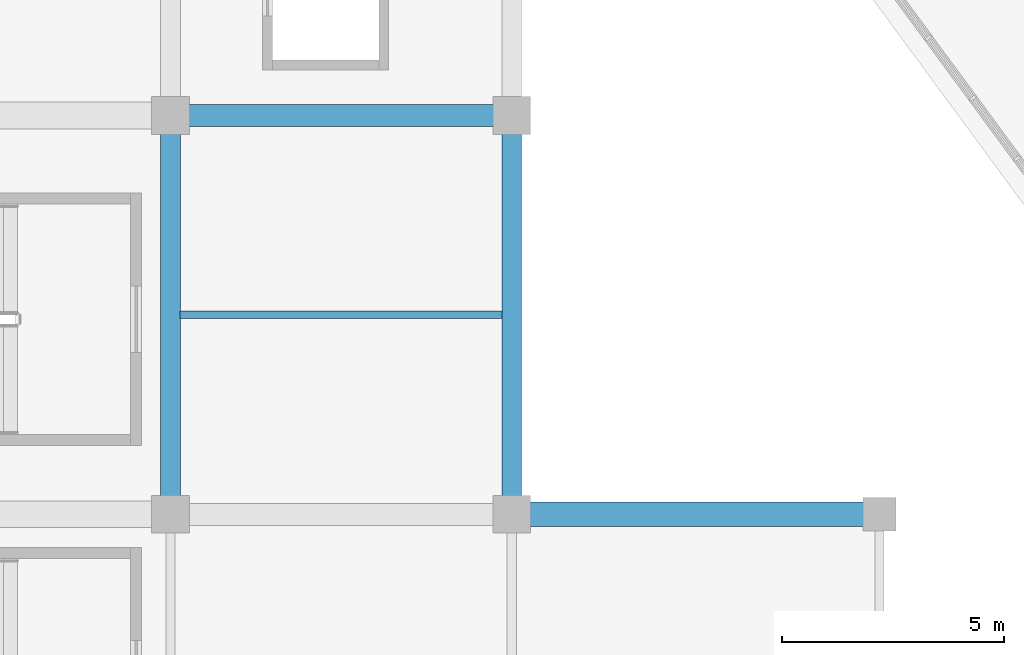
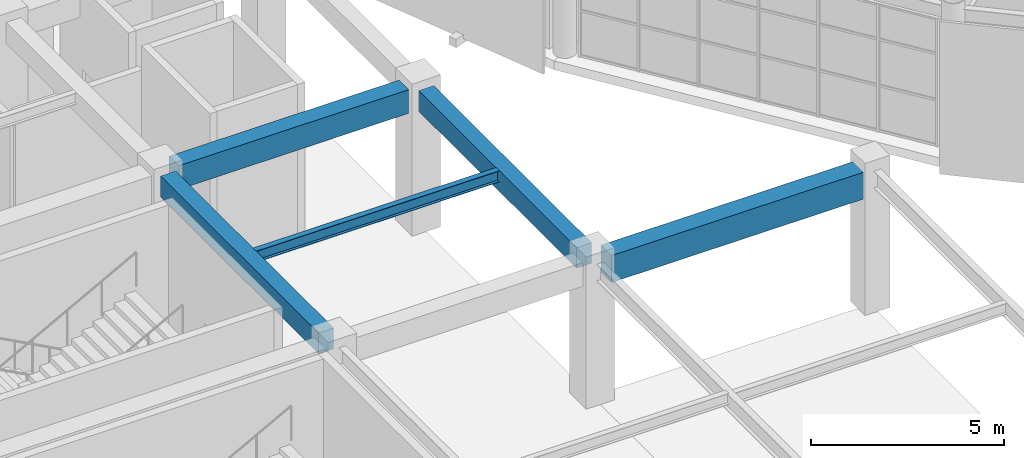
# One storey, part 20 of 112: 5 beams.
"""IFC4 building model written with IfcOpenShell, lengths in metres."""

from ifc_helpers import new_model, si_unit, direction, frame, origin, origin_2d, place, context, subcontext, project, spatial, rectangle, i_section, extrude, material, material_profile, profile_set, type_object, element, save


model = new_model("IFC4")

# Units and contexts
model_context = context("Model", 3, precision=1e-05, world=origin(), true_north=direction((0.0, 1.0)))
body_context = subcontext(model_context, "Body", "Model", "MODEL_VIEW")
ifc_project = project(units=[si_unit("LENGTHUNIT", "METRE"), si_unit("AREAUNIT", "SQUARE_METRE"), si_unit("VOLUMEUNIT", "CUBIC_METRE"), si_unit("PLANEANGLEUNIT", "RADIAN"), si_unit("MASSUNIT", "GRAM", prefix="KILO")], contexts=[model_context])

# Site, building, storey
site_placement = place(None, origin())
site = spatial("IfcSite", under=ifc_project, at=site_placement, CompositionType="ELEMENT")
building_placement = place(site_placement, origin())
building = spatial("IfcBuilding", under=site, at=building_placement, Name="Cuetzalor Civic Arena", CompositionType="ELEMENT")
storey_placement = place(building_placement, frame((0.0, 0.0, 11.39990234375)))
storey = spatial("IfcBuildingStorey", under=building, at=storey_placement, Name="L02", CompositionType="ELEMENT", Elevation=11.39990234375)

# Beams
ifc_material_1 = material(Name="Concrete C40/50", Category="concrete")
ifc_material_profile_1 = material_profile(ifc_material_1, rectangle(XDim=0.5, YDim=0.75, at=origin_2d()), Name="RC 500x750")
ifc_profile_set_1 = profile_set([ifc_material_profile_1], Name="Concrete C40/50")
beam_type_1 = type_object("IfcBeamType", Name="ConcreteFrameBeam_500x750", PredefinedType="BEAM", material=ifc_profile_set_1)
beam_1_placement = place(storey_placement, frame((-63.5849609375, -25.0, 4.14501953125), z_axis=(1.0, 0.0, 0.0), x_axis=(0.0, 1.0, 0.0)))
element("IfcBeam", 1, at=beam_1_placement, inside=storey, type_object=beam_type_1, Name="Frame Girder V4W-L02-X0636", PredefinedType="BEAM", context=body_context, shape_type="SweptSolid", body=[
    extrude(rectangle(XDim=0.5, YDim=0.75, at=origin_2d()), origin(), (0.0, 0.0, 1.0), 6.869873046875),
])
ifc_material_2 = material(Name="Concrete C40/50", Category="concrete")
ifc_material_profile_2 = material_profile(ifc_material_2, rectangle(XDim=0.550048828125, YDim=0.85009765625, at=origin_2d()), Name="RC 550x850")
ifc_profile_set_2 = profile_set([ifc_material_profile_2], Name="Concrete C40/50")
beam_type_2 = type_object("IfcBeamType", Name="ConcreteFrameBeam_550x850", PredefinedType="BEAM", material=ifc_profile_set_2)
beam_2_placement = place(storey_placement, frame((-55.885009765625, -34.0, 4.03515625), z_axis=(1.0, 0.0, 0.0), x_axis=(0.0, 1.0, 0.0)))
element("IfcBeam", 2, at=beam_2_placement, inside=storey, type_object=beam_type_2, Name="Frame Girder V4W-L02-X0633", PredefinedType="BEAM", context=body_context, shape_type="SweptSolid", body=[
    extrude(rectangle(XDim=0.550048828125, YDim=0.85009765625, at=origin_2d()), origin(), (0.0, 0.0, 1.0), 7.52001953125),
])
ifc_material_3 = material(Name="Concrete C40/50", Category="concrete")
ifc_material_profile_3 = material_profile(ifc_material_3, rectangle(XDim=0.449951171875, YDim=0.64990234375, at=origin_2d()), Name="RC 450x650")
ifc_profile_set_3 = profile_set([ifc_material_profile_3], Name="Concrete C40/50")
beam_type_3 = type_object("IfcBeamType", Name="ConcreteTieBeam_450x650", PredefinedType="BEAM", material=ifc_profile_set_3)
for number, where, z_axis, x_axis, name in (
    (3, (-64.0, -33.5849609375, 4.195068359375), (0.0, 1.0, 0.0), (-1.0, 0.0, 0.0), "Frame Girder V4W-L02-Y0680"),
    (4, (-56.300048828125, -33.5849609375, 4.195068359375), (0.0, 1.0, 0.0), (-1.0, 0.0, 0.0), "Frame Girder V4W-L02-Y0690"),
):
    element("IfcBeam", number, at=place(storey_placement, frame(where, z_axis=z_axis, x_axis=x_axis)), inside=storey, type_object=beam_type_3, Name=name, PredefinedType="BEAM", context=body_context, shape_type="SweptSolid", body=[
        extrude(rectangle(XDim=0.449951171875, YDim=0.64990234375, at=origin_2d()), origin(), (0.0, 0.0, 1.0), 8.169921875),
    ])
ifc_material_4 = material(Name="Steel S355", Category="steel")
ifc_material_profile_4 = material_profile(ifc_material_4, i_section(OverallWidth=0.1708984375, OverallDepth=0.35498046875, WebThickness=0.007080078125, FlangeThickness=0.01171875, at=origin_2d()), Name="W360x51")
ifc_profile_set_4 = profile_set([ifc_material_profile_4], Name="Steel S355")
beam_type_4 = type_object("IfcBeamType", Name="SecondaryFloorJoist_W360", PredefinedType="JOIST", material=ifc_profile_set_4)
beam_3_placement = place(storey_placement, frame((-63.782958984375, -29.5, 4.342529296875), z_axis=(1.0, 0.0, 0.0), x_axis=(0.0, 1.0, 0.0)))
element("IfcBeam", 5, at=beam_3_placement, inside=storey, type_object=beam_type_4, Name="Secondary Floor Joist V4W-L02-0208", PredefinedType="JOIST", context=body_context, shape_type="SweptSolid", body=[
    extrude(i_section(OverallWidth=0.1708984375, OverallDepth=0.35498046875, WebThickness=0.007080078125, FlangeThickness=0.01171875, at=origin_2d()), origin(), (0.0, 0.0, 1.0), 7.265869140625),
])

save(model, "model.ifc")
